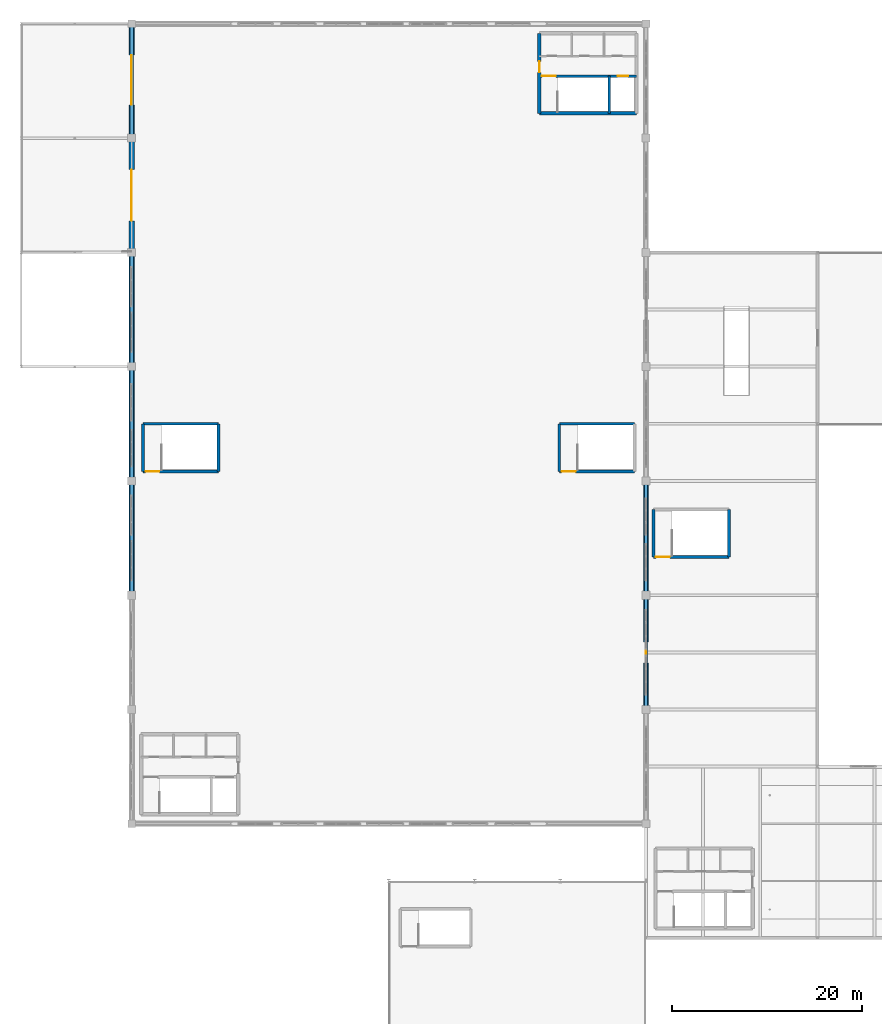
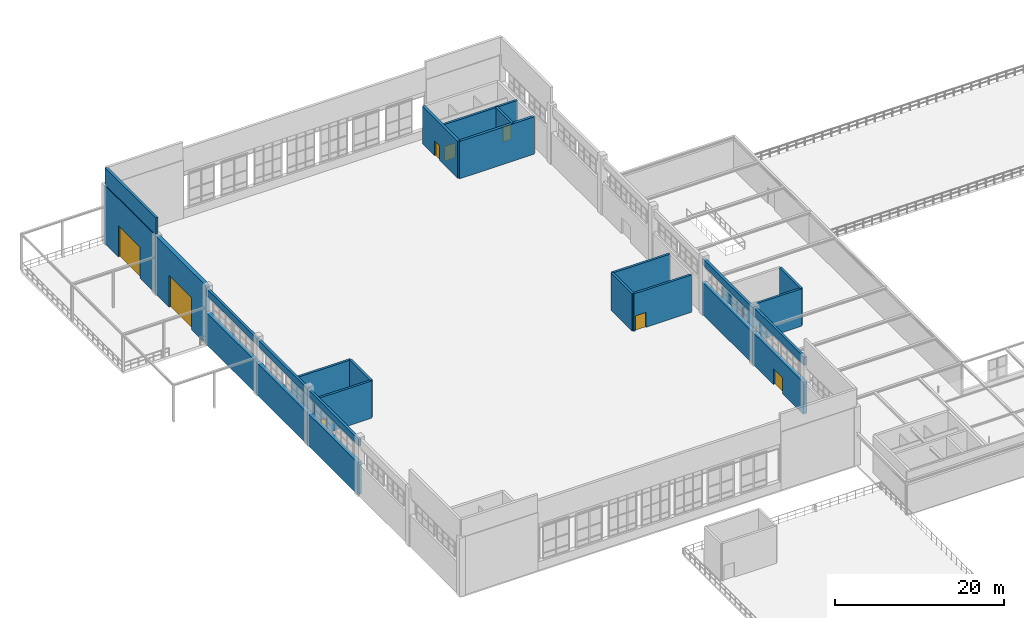
# One storey, part 80 of 97: 27 walls, 9 doors, 9 openings.
"""IFC4 building model written with IfcOpenShell, lengths in metres."""

from ifc_helpers import new_model, si_unit, derived_unit, direction, frame, frame_2d, origin, place, context, subcontext, project, spatial, rectangle, extrude, material, layer, layer_set, type_object, element, fill, save


model = new_model("IFC4")

# Units and contexts
model_context = context("Model", 3, precision=1e-05, world=origin(), true_north=direction((0.0, 1.0)))
body_context = subcontext(model_context, "Body", "Model", "MODEL_VIEW")
ifc_project = project(units=[si_unit("LENGTHUNIT", "METRE"), si_unit("AREAUNIT", "SQUARE_METRE"), si_unit("VOLUMEUNIT", "CUBIC_METRE"), si_unit("PLANEANGLEUNIT", "RADIAN"), si_unit("MASSUNIT", "GRAM", prefix="KILO"), derived_unit("THERMALTRANSMITTANCEUNIT", [(si_unit("POWERUNIT", "WATT"), 1), (si_unit("LENGTHUNIT", "METRE"), -2), (si_unit("THERMODYNAMICTEMPERATUREUNIT", "KELVIN"), -1)])], contexts=[model_context])

# Site, building, storey
site_placement = place(None, origin())
site = spatial("IfcSite", under=ifc_project, at=site_placement, CompositionType="ELEMENT")
building_placement = place(site_placement, origin())
building = spatial("IfcBuilding", under=site, at=building_placement, Name="Almenara Railside Exhibition Hall", CompositionType="ELEMENT")
storey_placement = place(building_placement, frame((0.0, 0.0, 10.800048828125)))
storey = spatial("IfcBuildingStorey", under=building, at=storey_placement, Name="L02", CompositionType="ELEMENT", Elevation=10.800048828125)

# Wall
ifc_material_1 = material(Name="Concrete C35/45", Category="concrete")
ifc_layer_1 = layer(ifc_material_1, 0.35009765625, Name="Concrete C35/45")
ifc_layer_set_1 = layer_set([ifc_layer_1], Name="Concrete C35/45")
wall_type_1 = type_object("IfcWallType", Name="Core Coupled Shear Wall 350mm C35/45", PredefinedType="SHEAR", material=ifc_layer_set_1)
wall_1_placement = place(storey_placement, frame((54.800048828125, 122.60009765625, 0.0), z_axis=(0.0, 0.0, 1.0), x_axis=(1.0, 0.0, 0.0)))
element("IfcWall", 1, at=wall_1_placement, inside=storey, type_object=wall_type_1, Name="Interior wall 0046", PredefinedType="SHEAR", context=body_context, shape_type="SweptSolid", body=[
    extrude(rectangle(XDim=10.199951171875, YDim=0.35009765625, at=frame_2d((5.10009765625, 0.0))), origin(), (0.0, 0.0, 1.0), 5.39990234375),
])

# Wall, opening, door
wall_2_placement = place(storey_placement, frame((54.800048828125, 131.0, 0.0), z_axis=(0.0, 0.0, 1.0), x_axis=(0.0, -1.0, 0.0)))
wall_2 = element("IfcWall", 2, at=wall_2_placement, inside=storey, type_object=wall_type_1, Name="Interior wall 0048", PredefinedType="SHEAR", context=body_context, shape_type="SweptSolid", body=[
    extrude(rectangle(XDim=8.39990234375, YDim=0.35009765625, at=frame_2d((4.199951171875, 0.0))), origin(), (0.0, 0.0, 1.0), 5.39990234375),
])
opening_1_placement = place(wall_2_placement, frame((2.949951171875, 0.0, 0.0)))
opening_1 = element("IfcOpeningElement", 3, at=opening_1_placement, cuts=wall_2, Name="Opening FD-115", PredefinedType="OPENING", context=body_context, shape_type="SweptSolid", body=[
    extrude(rectangle(XDim=1.14990234375, YDim=2.14990234375, at=frame_2d((0.574951171875, 1.074951171875))), frame((0.0, 0.18505859375, 0.0), z_axis=(0.0, -1.0, 0.0), x_axis=(1.0, 0.0, 0.0)), (0.0, 0.0, 1.0), 0.3701171875),
])
ifc_material_2 = material(Name="Fire-rated iroko timber door", Category="wood")
door_type_1 = type_object("IfcDoorType", Name="Core Lobby Fire Door 1150x2150 EI60", OperationType="NOTDEFINED", PredefinedType="DOOR", material=ifc_material_2)
door_1_placement = place(opening_1_placement, origin())
door_1 = element("IfcDoor", 4, at=door_1_placement, inside=storey, type_object=door_type_1, Name="Interior door FD-115-031", OperationType="SINGLE_SWING_LEFT", OverallHeight=2.14990234375, OverallWidth=1.14990234375, PredefinedType="DOOR", context=body_context, shape_type="SweptSolid", body=[
    extrude(rectangle(XDim=1.14990234375, YDim=2.14990234375, at=frame_2d((0.574951171875, 1.074951171875))), frame((0.0, 0.02490234375, 0.0), z_axis=(0.0, -1.0, 0.0), x_axis=(1.0, 0.0, 0.0)), (0.0, 0.0, 1.0), 0.050048828125),
])
fill(opening_1, door_1)

# Walls
ifc_material_3 = material(Name="Ochre-white lime-rendered masonry over Concrete C35/45", Category="masonry")
ifc_layer_2 = layer(ifc_material_3, 0.3349609375, Name="Ochre-white lime-rendered masonry over Concrete C35/45")
ifc_layer_set_2 = layer_set([ifc_layer_2], Name="Ochre-white lime-rendered masonry over Concrete C35/45")
wall_type_2 = type_object("IfcWallType", Name="Exterior Belvedere Wall 335mm C35/45", PredefinedType="SOLIDWALL", material=ifc_layer_set_2)
wall_3_placement = place(storey_placement, frame((66.0, 60.0, 7.0), z_axis=(0.0, 0.0, 1.0), x_axis=(0.0, 1.0, 0.0)))
element("IfcWall", 5, at=wall_3_placement, inside=storey, type_object=wall_type_2, Name="Exterior wall 0314", PredefinedType="SOLIDWALL", context=body_context, shape_type="SweptSolid", body=[
    extrude(rectangle(XDim=12.0, YDim=0.3349609375, at=frame_2d((6.0, 0.0))), origin(), (0.0, 0.0, 1.0), 1.2099609375),
])
for number, where, z_axis, x_axis, name in (
    (6, (12.0, 84.0, 7.0), (0.0, 0.0, 1.0), (0.0, -1.0, 0.0), "Exterior wall 0315"),
    (7, (66.0, 72.0, 7.0), (0.0, 0.0, 1.0), (0.0, 1.0, 0.0), "Exterior wall 0316"),
    (8, (12.0, 96.0, 7.0), (0.0, 0.0, 1.0), (0.0, -1.0, 0.0), "Exterior wall 0317"),
    (9, (12.0, 108.0, 7.0), (0.0, 0.0, 1.0), (0.0, -1.0, 0.0), "Exterior wall 0319"),
):
    element("IfcWall", number, at=place(storey_placement, frame(where, z_axis=z_axis, x_axis=x_axis)), inside=storey, type_object=wall_type_2, Name=name, PredefinedType="SOLIDWALL", context=body_context, shape_type="SweptSolid", body=[
        extrude(rectangle(XDim=12.0, YDim=0.3349609375, at=frame_2d((6.0, 0.0))), origin(), (0.0, 0.0, 1.0), 0.949951171875),
    ])
wall_4_placement = place(storey_placement, frame((12.0, 132.0, 8.39990234375), z_axis=(0.0, 0.0, 1.0), x_axis=(0.0, -1.0, 0.0)))
element("IfcWall", 10, at=wall_4_placement, inside=storey, type_object=wall_type_2, Name="Exterior wall 0322", PredefinedType="SOLIDWALL", context=body_context, shape_type="SweptSolid", body=[
    extrude(rectangle(XDim=12.0, YDim=0.3349609375, at=frame_2d((6.0, 0.0))), origin(), (0.0, 0.0, 1.0), 2.449951171875),
])

# Wall, opening, door
ifc_layer_3 = layer(ifc_material_3, 0.5400390625, Name="Ochre-white lime-rendered masonry over Concrete C35/45")
ifc_layer_set_3 = layer_set([ifc_layer_3], Name="Ochre-white lime-rendered masonry over Concrete C35/45")
wall_type_3 = type_object("IfcWallType", Name="Exterior West Hall Thermal Wall 540mm C35/45", PredefinedType="SOLIDWALL", material=ifc_layer_set_3)
wall_5_placement = place(storey_placement, frame((66.0, 60.0, 0.0), z_axis=(0.0, 0.0, 1.0), x_axis=(0.0, 1.0, 0.0)))
wall_5 = element("IfcWall", 11, at=wall_5_placement, inside=storey, type_object=wall_type_3, Name="Exterior wall 0030", PredefinedType="SOLIDWALL", context=body_context, shape_type="SweptSolid", body=[
    extrude(rectangle(XDim=12.0, YDim=0.5400390625, at=frame_2d((6.0, 0.0))), origin(), (0.0, 0.0, 1.0), 4.599853515625),
])
opening_2_placement = place(wall_5_placement, frame((4.89990234375, 0.0, 0.0)))
opening_2 = element("IfcOpeningElement", 12, at=opening_2_placement, cuts=wall_5, Name="Opening FD-22", PredefinedType="OPENING", context=body_context, shape_type="SweptSolid", body=[
    extrude(rectangle(XDim=2.199951171875, YDim=2.300048828125, at=frame_2d((1.10009765625, 1.14990234375))), frame((0.0, 0.280029296875, 0.0), z_axis=(0.0, -1.0, 0.0), x_axis=(1.0, 0.0, 0.0)), (0.0, 0.0, 1.0), 0.56005859375),
])
ifc_material_4 = material(Name="Steel-framed fire-rated timber door", Category="steel")
door_type_2 = type_object("IfcDoorType", Name="Hall Escape Stair Double Door 2200x2300 EI60", OperationType="NOTDEFINED", PredefinedType="DOOR", material=ifc_material_4)
door_2_placement = place(opening_2_placement, origin())
door_2 = element("IfcDoor", 13, at=door_2_placement, inside=storey, type_object=door_type_2, Name="Interior door FD-22-282", OperationType="DOUBLE_DOOR_SINGLE_SWING", OverallHeight=2.300048828125, OverallWidth=2.199951171875, PredefinedType="DOOR", context=body_context, shape_type="SweptSolid", body=[
    extrude(rectangle(XDim=2.199951171875, YDim=2.300048828125, at=frame_2d((1.10009765625, 1.14990234375))), frame((0.0, 0.02490234375, 0.0), z_axis=(0.0, -1.0, 0.0), x_axis=(1.0, 0.0, 0.0)), (0.0, 0.0, 1.0), 0.050048828125),
])
fill(opening_2, door_2)

# Walls
for number, where, z_axis, x_axis, name in (
    (14, (12.0, 84.0, 0.0), (0.0, 0.0, 1.0), (0.0, -1.0, 0.0), "Exterior wall 0033"),
    (15, (66.0, 72.0, 0.0), (0.0, 0.0, 1.0), (0.0, 1.0, 0.0), "Exterior wall 0034"),
    (16, (12.0, 96.0, 0.0), (0.0, 0.0, 1.0), (0.0, -1.0, 0.0), "Exterior wall 0037"),
    (17, (12.0, 108.0, 0.0), (0.0, 0.0, 1.0), (0.0, -1.0, 0.0), "Exterior wall 0041"),
):
    element("IfcWall", number, at=place(storey_placement, frame(where, z_axis=z_axis, x_axis=x_axis)), inside=storey, type_object=wall_type_3, Name=name, PredefinedType="SOLIDWALL", context=body_context, shape_type="SweptSolid", body=[
        extrude(rectangle(XDim=12.0, YDim=0.5400390625, at=frame_2d((6.0, 0.0))), origin(), (0.0, 0.0, 1.0), 4.599853515625),
    ])

# Wall, opening, door
wall_6_placement = place(storey_placement, frame((12.0, 120.0, 0.0), z_axis=(0.0, 0.0, 1.0), x_axis=(0.0, -1.0, 0.0)))
wall_6 = element("IfcWall", 18, at=wall_6_placement, inside=storey, type_object=wall_type_3, Name="Exterior wall 0045", PredefinedType="SOLIDWALL", context=body_context, shape_type="SweptSolid", body=[
    extrude(rectangle(XDim=12.0, YDim=0.5400390625, at=frame_2d((6.0, 0.0))), origin(), (0.0, 0.0, 1.0), 8.39990234375),
])
opening_3_placement = place(wall_6_placement, frame((3.300048828125, 0.0, 0.0)))
opening_3 = element("IfcOpeningElement", 19, at=opening_3_placement, cuts=wall_6, Name="Opening VG-03", PredefinedType="OPENING", context=body_context, shape_type="SweptSolid", body=[
    extrude(rectangle(XDim=5.39990234375, YDim=4.60009765625, at=frame_2d((2.699951171875, 2.300048828125))), frame((0.0, 0.280029296875, 0.0), z_axis=(0.0, -1.0, 0.0), x_axis=(1.0, 0.0, 0.0)), (0.0, 0.0, 1.0), 0.56005859375),
])
ifc_material_5 = material(Name="Galvanised insulated acoustic steel shutter", Category="steel")
door_type_3 = type_object("IfcDoorType", Name="Heavy Freight Insulated Roller Shutter 5400x4600", OperationType="ROLLINGUP", PredefinedType="GATE", material=ifc_material_5)
door_3_placement = place(opening_3_placement, origin())
door_3 = element("IfcDoor", 20, at=door_3_placement, inside=storey, type_object=door_type_3, Name="Exterior door VG-03", OperationType="ROLLINGUP", OverallHeight=4.60009765625, OverallWidth=5.39990234375, PredefinedType="GATE", context=body_context, shape_type="SweptSolid", body=[
    extrude(rectangle(XDim=5.39990234375, YDim=4.60009765625, at=frame_2d((2.699951171875, 2.300048828125))), frame((0.0, 0.02490234375, 0.0), z_axis=(0.0, -1.0, 0.0), x_axis=(1.0, 0.0, 0.0)), (0.0, 0.0, 1.0), 0.050048828125),
])
fill(opening_3, door_3)

wall_7_placement = place(storey_placement, frame((12.0, 132.0, 0.0), z_axis=(0.0, 0.0, 1.0), x_axis=(0.0, -1.0, 0.0)))
wall_7 = element("IfcWall", 21, at=wall_7_placement, inside=storey, type_object=wall_type_3, Name="Exterior wall 0051", PredefinedType="SOLIDWALL", context=body_context, shape_type="SweptSolid", body=[
    extrude(rectangle(XDim=12.0, YDim=0.5400390625, at=frame_2d((6.0, 0.0))), origin(), (0.0, 0.0, 1.0), 8.39990234375),
])
opening_4_placement = place(wall_7_placement, frame((3.300048828125, 0.0, 0.0)))
opening_4 = element("IfcOpeningElement", 22, at=opening_4_placement, cuts=wall_7, Name="Opening VG-04", PredefinedType="OPENING", context=body_context, shape_type="SweptSolid", body=[
    extrude(rectangle(XDim=5.199951171875, YDim=4.5, at=frame_2d((2.60009765625, 2.25))), frame((0.0, 0.280029296875, 0.0), z_axis=(0.0, -1.0, 0.0), x_axis=(1.0, 0.0, 0.0)), (0.0, 0.0, 1.0), 0.56005859375),
])
door_type_4 = type_object("IfcDoorType", Name="Upper Deck Freight Roller Shutter 5200x4500", OperationType="ROLLINGUP", PredefinedType="GATE", material=ifc_material_5)
door_4_placement = place(opening_4_placement, origin())
door_4 = element("IfcDoor", 23, at=door_4_placement, inside=storey, type_object=door_type_4, Name="Exterior door VG-04", OperationType="ROLLINGUP", OverallHeight=4.5, OverallWidth=5.199951171875, PredefinedType="GATE", context=body_context, shape_type="SweptSolid", body=[
    extrude(rectangle(XDim=5.199951171875, YDim=4.5, at=frame_2d((2.60009765625, 2.25))), frame((0.0, 0.02490234375, 0.0), z_axis=(0.0, -1.0, 0.0), x_axis=(1.0, 0.0, 0.0)), (0.0, 0.0, 1.0), 0.050048828125),
])
fill(opening_4, door_4)

# Wall, openings, doors
ifc_layer_4 = layer(ifc_material_1, 0.300048828125, Name="Concrete C35/45")
ifc_layer_set_4 = layer_set([ifc_layer_4], Name="Concrete C35/45")
wall_type_4 = type_object("IfcWallType", Name="Stair and Lift Shaft Wall 300mm C35/45", PredefinedType="SHEAR", material=ifc_layer_set_4)
wall_8_placement = place(storey_placement, frame((54.800048828125, 126.5, 0.0), z_axis=(0.0, 0.0, 1.0), x_axis=(1.0, 0.0, 0.0)))
wall_8 = element("IfcWall", 24, at=wall_8_placement, inside=storey, type_object=wall_type_4, Name="Interior wall 0050", PredefinedType="SHEAR", context=body_context, shape_type="SweptSolid", body=[
    extrude(rectangle(XDim=10.199951171875, YDim=0.300048828125, at=frame_2d((5.10009765625, 0.0))), origin(), (0.0, 0.0, 1.0), 5.39990234375),
])
opening_5_placement = place(wall_8_placement, frame((0.280029296875, 0.0, 0.0)))
opening_5 = element("IfcOpeningElement", 25, at=opening_5_placement, cuts=wall_8, Name="Opening FD-145", PredefinedType="OPENING", context=body_context, shape_type="SweptSolid", body=[
    extrude(rectangle(XDim=1.449951171875, YDim=2.14990234375, at=frame_2d((0.72509765625, 1.074951171875))), frame((0.0, 0.159912109375, 0.0), z_axis=(0.0, -1.0, 0.0), x_axis=(1.0, 0.0, 0.0)), (0.0, 0.0, 1.0), 0.320068359375),
])
opening_6_placement = place(wall_8_placement, frame((8.22509765625, 0.0, 0.0)))
opening_6 = element("IfcOpeningElement", 26, at=opening_6_placement, cuts=wall_8, Name="Opening LD-11-C2", PredefinedType="OPENING", context=body_context, shape_type="SweptSolid", body=[
    extrude(rectangle(XDim=1.10009765625, YDim=2.14990234375, at=frame_2d((0.550048828125, 1.074951171875))), frame((0.0, 0.159912109375, 0.0), z_axis=(0.0, -1.0, 0.0), x_axis=(1.0, 0.0, 0.0)), (0.0, 0.0, 1.0), 0.320068359375),
])
door_type_5 = type_object("IfcDoorType", Name="Fire Escape Stair Door 1450x2150 EI60", OperationType="NOTDEFINED", PredefinedType="DOOR", material=ifc_material_4)
door_5_placement = place(opening_5_placement, origin())
door_5 = element("IfcDoor", 27, at=door_5_placement, inside=storey, type_object=door_type_5, Name="Interior door FD-145-032", OperationType="DOUBLE_DOOR_SINGLE_SWING", OverallHeight=2.14990234375, OverallWidth=1.449951171875, PredefinedType="DOOR", context=body_context, shape_type="SweptSolid", body=[
    extrude(rectangle(XDim=1.449951171875, YDim=2.14990234375, at=frame_2d((0.72509765625, 1.074951171875))), frame((0.0, 0.02490234375, 0.0), z_axis=(0.0, -1.0, 0.0), x_axis=(1.0, 0.0, 0.0)), (0.0, 0.0, 1.0), 0.050048828125),
])
fill(opening_5, door_5)
ifc_material_6 = material(Name="Brushed bronze-stainless steel sliding landing door", Category="steel")
door_type_6 = type_object("IfcDoorType", Name="Passenger Lift Sliding Landing Door 1100x2150", OperationType="DOUBLE_DOOR_SLIDING", PredefinedType="DOOR", material=ifc_material_6)
door_6_placement = place(opening_6_placement, origin())
door_6 = element("IfcDoor", 28, at=door_6_placement, inside=storey, type_object=door_type_6, Name="Interior door LD-11-C2-033", OperationType="DOUBLE_DOOR_SLIDING", OverallHeight=2.14990234375, OverallWidth=1.10009765625, PredefinedType="DOOR", context=body_context, shape_type="SweptSolid", body=[
    extrude(rectangle(XDim=1.10009765625, YDim=2.14990234375, at=frame_2d((0.550048828125, 1.074951171875))), frame((0.0, 0.02490234375, 0.0), z_axis=(0.0, -1.0, 0.0), x_axis=(1.0, 0.0, 0.0)), (0.0, 0.0, 1.0), 0.050048828125),
])
fill(opening_6, door_6)

# Wall
wall_9_placement = place(storey_placement, frame((62.14990234375, 122.60009765625, 0.0), z_axis=(0.0, 0.0, 1.0), x_axis=(0.0, 1.0, 0.0)))
element("IfcWall", 29, at=wall_9_placement, inside=storey, type_object=wall_type_4, Name="Interior wall 0051", PredefinedType="SHEAR", context=body_context, shape_type="SweptSolid", body=[
    extrude(rectangle(XDim=3.89990234375, YDim=0.300048828125, at=frame_2d((1.949951171875, 0.0))), origin(), (0.0, 0.0, 1.0), 5.39990234375),
])

# Wall, opening, door
wall_10_placement = place(storey_placement, frame((13.199951171875, 85.0, 0.0), z_axis=(0.0, 0.0, 1.0), x_axis=(1.0, 0.0, 0.0)))
wall_10 = element("IfcWall", 30, at=wall_10_placement, inside=storey, type_object=wall_type_4, Name="Interior wall 0284", PredefinedType="SHEAR", context=body_context, shape_type="SweptSolid", body=[
    extrude(rectangle(XDim=7.900146484375, YDim=0.300048828125, at=frame_2d((3.9501953125, 0.0))), origin(), (0.0, 0.0, 1.0), 5.39990234375),
])
opening_7_placement = place(wall_10_placement, frame((0.25, 0.0, 0.0)))
opening_7 = element("IfcOpeningElement", 31, at=opening_7_placement, cuts=wall_10, Name="Opening FD-145", PredefinedType="OPENING", context=body_context, shape_type="SweptSolid", body=[
    extrude(rectangle(XDim=1.449951171875, YDim=2.14990234375, at=frame_2d((0.72509765625, 1.074951171875))), frame((0.0, 0.159912109375, 0.0), z_axis=(0.0, -1.0, 0.0), x_axis=(1.0, 0.0, 0.0)), (0.0, 0.0, 1.0), 0.320068359375),
])
door_7_placement = place(opening_7_placement, origin())
door_7 = element("IfcDoor", 32, at=door_7_placement, inside=storey, type_object=door_type_5, Name="Interior door FD-145-186", OperationType="DOUBLE_DOOR_SINGLE_SWING", OverallHeight=2.14990234375, OverallWidth=1.449951171875, PredefinedType="DOOR", context=body_context, shape_type="SweptSolid", body=[
    extrude(rectangle(XDim=1.449951171875, YDim=2.14990234375, at=frame_2d((0.72509765625, 1.074951171875))), frame((0.0, 0.02490234375, 0.0), z_axis=(0.0, -1.0, 0.0), x_axis=(1.0, 0.0, 0.0)), (0.0, 0.0, 1.0), 0.050048828125),
])
fill(opening_7, door_7)

# Walls
wall_11_placement = place(storey_placement, frame((21.10009765625, 90.0, 0.0), z_axis=(0.0, 0.0, 1.0), x_axis=(-1.0, 0.0, 0.0)))
element("IfcWall", 33, at=wall_11_placement, inside=storey, type_object=wall_type_4, Name="Interior wall 0285", PredefinedType="SHEAR", context=body_context, shape_type="SweptSolid", body=[
    extrude(rectangle(XDim=7.900146484375, YDim=0.300048828125, at=frame_2d((3.9501953125, 0.0))), origin(), (0.0, 0.0, 1.0), 5.39990234375),
])
for number, where, z_axis, x_axis, name in (
    (34, (13.199951171875, 90.0, 0.0), (0.0, 0.0, 1.0), (0.0, -1.0, 0.0), "Interior wall 0286"),
    (35, (21.10009765625, 85.0, 0.0), (0.0, 0.0, 1.0), (0.0, 1.0, 0.0), "Interior wall 0287"),
):
    element("IfcWall", number, at=place(storey_placement, frame(where, z_axis=z_axis, x_axis=x_axis)), inside=storey, type_object=wall_type_4, Name=name, PredefinedType="SHEAR", context=body_context, shape_type="SweptSolid", body=[
        extrude(rectangle(XDim=5.0, YDim=0.300048828125, at=frame_2d((2.5, 0.0))), origin(), (0.0, 0.0, 1.0), 5.39990234375),
    ])

# Wall, opening, door
wall_12_placement = place(storey_placement, frame((56.89990234375, 85.0, 0.0), z_axis=(0.0, 0.0, 1.0), x_axis=(1.0, 0.0, 0.0)))
wall_12 = element("IfcWall", 36, at=wall_12_placement, inside=storey, type_object=wall_type_4, Name="Interior wall 0296", PredefinedType="SHEAR", context=body_context, shape_type="SweptSolid", body=[
    extrude(rectangle(XDim=7.900146484375, YDim=0.300048828125, at=frame_2d((3.9501953125, 0.0))), origin(), (0.0, 0.0, 1.0), 5.39990234375),
])
opening_8_placement = place(wall_12_placement, frame((0.25, 0.0, 0.0)))
opening_8 = element("IfcOpeningElement", 37, at=opening_8_placement, cuts=wall_12, Name="Opening FD-145", PredefinedType="OPENING", context=body_context, shape_type="SweptSolid", body=[
    extrude(rectangle(XDim=1.449951171875, YDim=2.14990234375, at=frame_2d((0.72509765625, 1.074951171875))), frame((0.0, 0.159912109375, 0.0), z_axis=(0.0, -1.0, 0.0), x_axis=(1.0, 0.0, 0.0)), (0.0, 0.0, 1.0), 0.320068359375),
])
door_8_placement = place(opening_8_placement, origin())
door_8 = element("IfcDoor", 38, at=door_8_placement, inside=storey, type_object=door_type_5, Name="Interior door FD-145-189", OperationType="DOUBLE_DOOR_SINGLE_SWING", OverallHeight=2.14990234375, OverallWidth=1.449951171875, PredefinedType="DOOR", context=body_context, shape_type="SweptSolid", body=[
    extrude(rectangle(XDim=1.449951171875, YDim=2.14990234375, at=frame_2d((0.72509765625, 1.074951171875))), frame((0.0, 0.02490234375, 0.0), z_axis=(0.0, -1.0, 0.0), x_axis=(1.0, 0.0, 0.0)), (0.0, 0.0, 1.0), 0.050048828125),
])
fill(opening_8, door_8)

# Walls
wall_13_placement = place(storey_placement, frame((64.800048828125, 90.0, 0.0), z_axis=(0.0, 0.0, 1.0), x_axis=(-1.0, 0.0, 0.0)))
element("IfcWall", 39, at=wall_13_placement, inside=storey, type_object=wall_type_4, Name="Interior wall 0297", PredefinedType="SHEAR", context=body_context, shape_type="SweptSolid", body=[
    extrude(rectangle(XDim=7.900146484375, YDim=0.300048828125, at=frame_2d((3.9501953125, 0.0))), origin(), (0.0, 0.0, 1.0), 5.39990234375),
])
wall_14_placement = place(storey_placement, frame((56.89990234375, 90.0, 0.0), z_axis=(0.0, 0.0, 1.0), x_axis=(0.0, -1.0, 0.0)))
element("IfcWall", 40, at=wall_14_placement, inside=storey, type_object=wall_type_4, Name="Interior wall 0298", PredefinedType="SHEAR", context=body_context, shape_type="SweptSolid", body=[
    extrude(rectangle(XDim=5.0, YDim=0.300048828125, at=frame_2d((2.5, 0.0))), origin(), (0.0, 0.0, 1.0), 5.39990234375),
])

# Wall, opening, door
wall_15_placement = place(storey_placement, frame((66.800048828125, 76.0, 0.0), z_axis=(0.0, 0.0, 1.0), x_axis=(1.0, 0.0, 0.0)))
wall_15 = element("IfcWall", 41, at=wall_15_placement, inside=storey, type_object=wall_type_4, Name="Interior wall 0308", PredefinedType="SHEAR", context=body_context, shape_type="SweptSolid", body=[
    extrude(rectangle(XDim=7.89990234375, YDim=0.300048828125, at=frame_2d((3.949951171875, 0.0))), origin(), (0.0, 0.0, 1.0), 5.39990234375),
])
opening_9_placement = place(wall_15_placement, frame((0.25, 0.0, 0.0)))
opening_9 = element("IfcOpeningElement", 42, at=opening_9_placement, cuts=wall_15, Name="Opening FD-145", PredefinedType="OPENING", context=body_context, shape_type="SweptSolid", body=[
    extrude(rectangle(XDim=1.449951171875, YDim=2.14990234375, at=frame_2d((0.72509765625, 1.074951171875))), frame((0.0, 0.159912109375, 0.0), z_axis=(0.0, -1.0, 0.0), x_axis=(1.0, 0.0, 0.0)), (0.0, 0.0, 1.0), 0.320068359375),
])
door_9_placement = place(opening_9_placement, origin())
door_9 = element("IfcDoor", 43, at=door_9_placement, inside=storey, type_object=door_type_5, Name="Interior door FD-145-192", OperationType="DOUBLE_DOOR_SINGLE_SWING", OverallHeight=2.14990234375, OverallWidth=1.449951171875, PredefinedType="DOOR", context=body_context, shape_type="SweptSolid", body=[
    extrude(rectangle(XDim=1.449951171875, YDim=2.14990234375, at=frame_2d((0.72509765625, 1.074951171875))), frame((0.0, 0.02490234375, 0.0), z_axis=(0.0, -1.0, 0.0), x_axis=(1.0, 0.0, 0.0)), (0.0, 0.0, 1.0), 0.050048828125),
])
fill(opening_9, door_9)

# Walls
for number, where, z_axis, x_axis, name in (
    (44, (66.800048828125, 81.0, 0.0), (0.0, 0.0, 1.0), (0.0, -1.0, 0.0), "Interior wall 0310"),
    (45, (74.699951171875, 76.0, 0.0), (0.0, 0.0, 1.0), (0.0, 1.0, 0.0), "Interior wall 0311"),
):
    element("IfcWall", number, at=place(storey_placement, frame(where, z_axis=z_axis, x_axis=x_axis)), inside=storey, type_object=wall_type_4, Name=name, PredefinedType="SHEAR", context=body_context, shape_type="SweptSolid", body=[
        extrude(rectangle(XDim=5.0, YDim=0.300048828125, at=frame_2d((2.5, 0.0))), origin(), (0.0, 0.0, 1.0), 5.39990234375),
    ])

save(model, "model.ifc")
